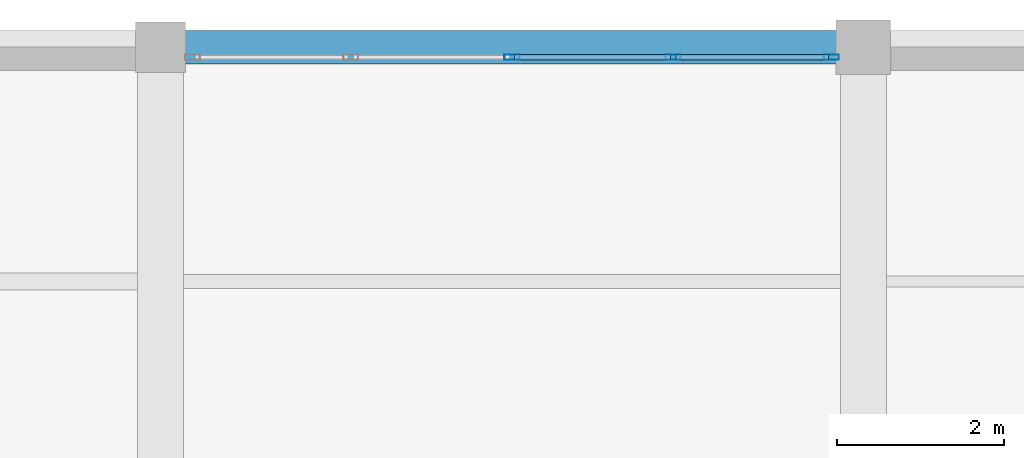
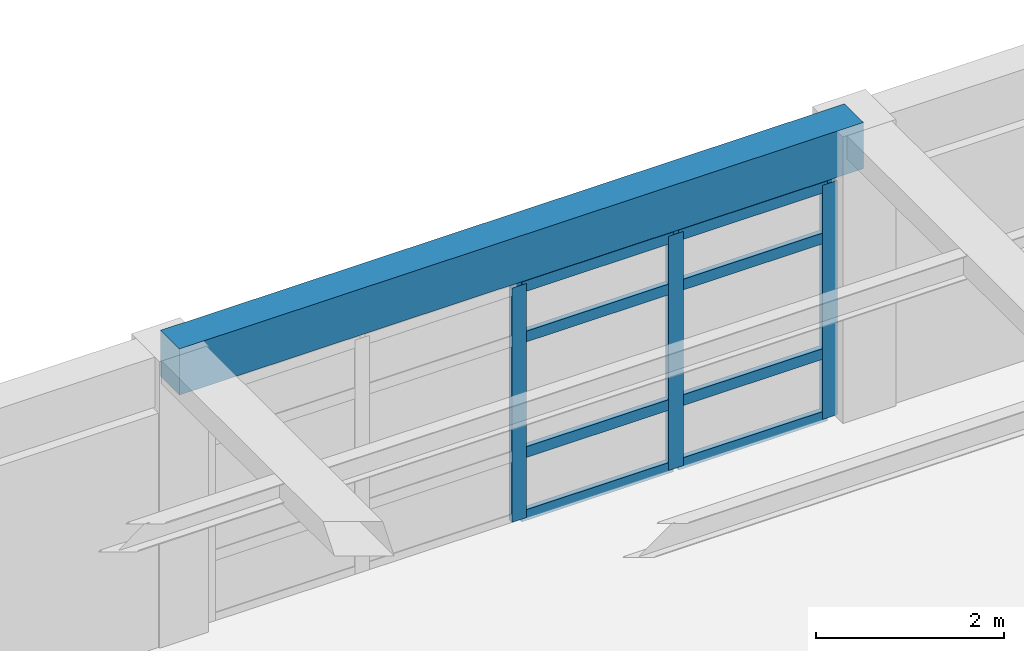
# One storey, part 19 of 25: 11 members, 1 beam, 1 element without a shape of its own.
"""IFC4 building model written with IfcOpenShell, lengths in metres."""

from ifc_helpers import new_model, si_unit, direction, frame, origin, origin_2d, place, context, subcontext, project, spatial, rectangle, hollow_rectangle, extrude, material, material_profile, profile_set, type_object, element, aggregate, save


model = new_model("IFC4")

# Units and contexts
model_context = context("Model", 3, precision=1e-05, world=origin(), true_north=direction((0.0, 1.0)))
body_context = subcontext(model_context, "Body", "Model", "MODEL_VIEW")
ifc_project = project(units=[si_unit("LENGTHUNIT", "METRE"), si_unit("AREAUNIT", "SQUARE_METRE"), si_unit("VOLUMEUNIT", "CUBIC_METRE"), si_unit("PLANEANGLEUNIT", "RADIAN"), si_unit("MASSUNIT", "GRAM", prefix="KILO")], contexts=[model_context])

# Site, building, storey
site_placement = place(None, origin())
site = spatial("IfcSite", under=ifc_project, at=site_placement, CompositionType="ELEMENT")
building_placement = place(site_placement, origin())
building = spatial("IfcBuilding", under=site, at=building_placement, Name="Almacenes y Pasaje Nevantli", CompositionType="ELEMENT")
storey_placement = place(building_placement, frame((0.0, 0.0, 50.699951171875)))
storey = spatial("IfcBuildingStorey", under=building, at=storey_placement, Name="L12", CompositionType="ELEMENT", Elevation=50.699951171875)

# Beam
ifc_material_1 = material(Name="Concrete C35/45", Category="concrete")
ifc_material_profile_1 = material_profile(ifc_material_1, rectangle(XDim=0.39990234375, YDim=0.60009765625, at=origin_2d()), Name="RC-BM-400x600")
ifc_profile_set_1 = profile_set([ifc_material_profile_1], Name="Concrete C35/45")
beam_type = type_object("IfcBeamType", Name="BM-RC-400x600", PredefinedType="SPANDREL", material=ifc_profile_set_1)
beam_placement = place(storey_placement, frame((142.800048828125, 100.800048828125, 3.420166015625), z_axis=(1.0, 0.0, 0.0), x_axis=(0.0, 1.0, 0.0)))
element("IfcBeam", 1, at=beam_placement, inside=storey, type_object=beam_type, Name="L12 East-West Reinforced Concrete Beam #3914", PredefinedType="SPANDREL", context=body_context, shape_type="SweptSolid", body=[
    extrude(rectangle(XDim=0.39990234375, YDim=0.60009765625, at=origin_2d()), origin(), (0.0, 0.0, 1.0), 8.39990234375),
])

# Curtain wall, members
ifc_material_2 = material(Name="Thermally Broken Aluminium and Low-E Glass", Category="aluminium")
curtain_wall_type = type_object("IfcCurtainWallType", Name="CW-UNIT-TOWER", PredefinedType="USERDEFINED", material=ifc_material_2)
curtain_wall_placement = place(storey_placement, origin())
curtain_wall = element("IfcCurtainWall", 2, at=curtain_wall_placement, inside=storey, type_object=curtain_wall_type, Name="L12 Tower North Boulevard Unitized Curtain Wall Bay 18", ObjectType="UNITIZED CURTAIN WALL", PredefinedType="USERDEFINED")
ifc_material_3 = material(Name="Thermally Broken Anodized Aluminium", Category="aluminium")
ifc_material_profile_2 = material_profile(ifc_material_3, hollow_rectangle(XDim=0.06494140625, YDim=0.179931640625, WallThickness=0.00390625, at=origin_2d()), Name="ALU-MUL-65x180")
ifc_profile_set_2 = profile_set([ifc_material_profile_2], Name="Thermally Broken Anodized Aluminium")
member_type_1 = type_object("IfcMemberType", Name="CW-MUL-200", PredefinedType="MULLION", material=ifc_profile_set_2)
member_1_placement = place(storey_placement, frame((147.0, 100.679931640625, 0.0), z_axis=(0.0, 0.0, 1.0), x_axis=(0.0, 1.0, 0.0)))
member_1 = element("IfcMember", 3, at=member_1_placement, type_object=member_type_1, Name="CW-L12-162 mullion 3", PredefinedType="MULLION", context=body_context, shape_type="SweptSolid", body=[
    extrude(hollow_rectangle(XDim=0.06494140625, YDim=0.179931640625, WallThickness=0.00390625, at=origin_2d()), origin(), (0.0, 0.0, 1.0), 3.0400390625),
])
member_2_placement = place(storey_placement, frame((148.925048828125, 100.679931640625, 0.0), z_axis=(0.0, 0.0, 1.0), x_axis=(0.0, 1.0, 0.0)))
member_2 = element("IfcMember", 4, at=member_2_placement, type_object=member_type_1, Name="CW-L12-162 mullion 4", PredefinedType="MULLION", context=body_context, shape_type="SweptSolid", body=[
    extrude(hollow_rectangle(XDim=0.06494140625, YDim=0.179931640625, WallThickness=0.00390625, at=origin_2d()), origin(), (0.0, 0.0, 1.0), 3.0400390625),
])
member_3_placement = place(storey_placement, frame((150.8173828125, 100.679931640625, 0.0), z_axis=(0.0, 0.0, 1.0), x_axis=(0.0, 1.0, 0.0)))
member_3 = element("IfcMember", 5, at=member_3_placement, type_object=member_type_1, Name="CW-L12-162 mullion 5", PredefinedType="MULLION", context=body_context, shape_type="SweptSolid", body=[
    extrude(hollow_rectangle(XDim=0.06494140625, YDim=0.179931640625, WallThickness=0.00390625, at=origin_2d()), origin(), (0.0, 0.0, 1.0), 3.0400390625),
])
ifc_material_4 = material(Name="Thermally Broken Anodized Aluminium", Category="aluminium")
ifc_material_profile_3 = material_profile(ifc_material_4, hollow_rectangle(XDim=0.06494140625, YDim=0.139892578125, WallThickness=0.00390625, at=origin_2d()), Name="ALU-TRN-65x140")
ifc_profile_set_3 = profile_set([ifc_material_profile_3], Name="Thermally Broken Anodized Aluminium")
member_type_2 = type_object("IfcMemberType", Name="CW-TRN-150", PredefinedType="USERDEFINED", material=ifc_profile_set_3)
member_4_placement = place(storey_placement, frame((147.032470703125, 100.679931640625, 0.032470703125), z_axis=(1.0, 0.0, 0.0), x_axis=(0.0, 1.0, 0.0)))
member_4 = element("IfcMember", 6, at=member_4_placement, type_object=member_type_2, Name="CW-L12-162 transom 3.1", ObjectType="TRANSOM", PredefinedType="USERDEFINED", context=body_context, shape_type="SweptSolid", body=[
    extrude(hollow_rectangle(XDim=0.06494140625, YDim=0.139892578125, WallThickness=0.00390625, at=origin_2d()), origin(), (0.0, 0.0, 1.0), 1.860107421875),
])
member_5_placement = place(storey_placement, frame((147.032470703125, 100.679931640625, 0.85009765625), z_axis=(1.0, 0.0, 0.0), x_axis=(0.0, 1.0, 0.0)))
member_5 = element("IfcMember", 7, at=member_5_placement, type_object=member_type_2, Name="CW-L12-162 transom 3.2", ObjectType="TRANSOM", PredefinedType="USERDEFINED", context=body_context, shape_type="SweptSolid", body=[
    extrude(hollow_rectangle(XDim=0.06494140625, YDim=0.139892578125, WallThickness=0.00390625, at=origin_2d()), origin(), (0.0, 0.0, 1.0), 1.860107421875),
])
member_6_placement = place(storey_placement, frame((147.032470703125, 100.679931640625, 2.35009765625), z_axis=(1.0, 0.0, 0.0), x_axis=(0.0, 1.0, 0.0)))
member_6 = element("IfcMember", 8, at=member_6_placement, type_object=member_type_2, Name="CW-L12-162 transom 3.3", ObjectType="TRANSOM", PredefinedType="USERDEFINED", context=body_context, shape_type="SweptSolid", body=[
    extrude(hollow_rectangle(XDim=0.06494140625, YDim=0.139892578125, WallThickness=0.00390625, at=origin_2d()), origin(), (0.0, 0.0, 1.0), 1.860107421875),
])
member_7_placement = place(storey_placement, frame((147.032470703125, 100.679931640625, 3.007568359375), z_axis=(1.0, 0.0, 0.0), x_axis=(0.0, 1.0, 0.0)))
member_7 = element("IfcMember", 9, at=member_7_placement, type_object=member_type_2, Name="CW-L12-162 transom 3.4", ObjectType="TRANSOM", PredefinedType="USERDEFINED", context=body_context, shape_type="SweptSolid", body=[
    extrude(hollow_rectangle(XDim=0.06494140625, YDim=0.139892578125, WallThickness=0.00390625, at=origin_2d()), origin(), (0.0, 0.0, 1.0), 1.860107421875),
])
member_8_placement = place(storey_placement, frame((148.95751953125, 100.679931640625, 0.032470703125), z_axis=(1.0, 0.0, 0.0), x_axis=(0.0, 1.0, 0.0)))
member_8 = element("IfcMember", 10, at=member_8_placement, type_object=member_type_2, Name="CW-L12-162 transom 4.1", ObjectType="TRANSOM", PredefinedType="USERDEFINED", context=body_context, shape_type="SweptSolid", body=[
    extrude(hollow_rectangle(XDim=0.06494140625, YDim=0.139892578125, WallThickness=0.00390625, at=origin_2d()), origin(), (0.0, 0.0, 1.0), 1.827392578125),
])
member_9_placement = place(storey_placement, frame((148.95751953125, 100.679931640625, 0.85009765625), z_axis=(1.0, 0.0, 0.0), x_axis=(0.0, 1.0, 0.0)))
member_9 = element("IfcMember", 11, at=member_9_placement, type_object=member_type_2, Name="CW-L12-162 transom 4.2", ObjectType="TRANSOM", PredefinedType="USERDEFINED", context=body_context, shape_type="SweptSolid", body=[
    extrude(hollow_rectangle(XDim=0.06494140625, YDim=0.139892578125, WallThickness=0.00390625, at=origin_2d()), origin(), (0.0, 0.0, 1.0), 1.827392578125),
])
member_10_placement = place(storey_placement, frame((148.95751953125, 100.679931640625, 2.35009765625), z_axis=(1.0, 0.0, 0.0), x_axis=(0.0, 1.0, 0.0)))
member_10 = element("IfcMember", 12, at=member_10_placement, type_object=member_type_2, Name="CW-L12-162 transom 4.3", ObjectType="TRANSOM", PredefinedType="USERDEFINED", context=body_context, shape_type="SweptSolid", body=[
    extrude(hollow_rectangle(XDim=0.06494140625, YDim=0.139892578125, WallThickness=0.00390625, at=origin_2d()), origin(), (0.0, 0.0, 1.0), 1.827392578125),
])
member_11_placement = place(storey_placement, frame((148.95751953125, 100.679931640625, 3.007568359375), z_axis=(1.0, 0.0, 0.0), x_axis=(0.0, 1.0, 0.0)))
member_11 = element("IfcMember", 13, at=member_11_placement, type_object=member_type_2, Name="CW-L12-162 transom 4.4", ObjectType="TRANSOM", PredefinedType="USERDEFINED", context=body_context, shape_type="SweptSolid", body=[
    extrude(hollow_rectangle(XDim=0.06494140625, YDim=0.139892578125, WallThickness=0.00390625, at=origin_2d()), origin(), (0.0, 0.0, 1.0), 1.827392578125),
])
aggregate(curtain_wall, [member_1, member_2, member_3, member_4, member_5, member_6, member_7, member_8, member_9, member_10, member_11])

save(model, "model.ifc")
